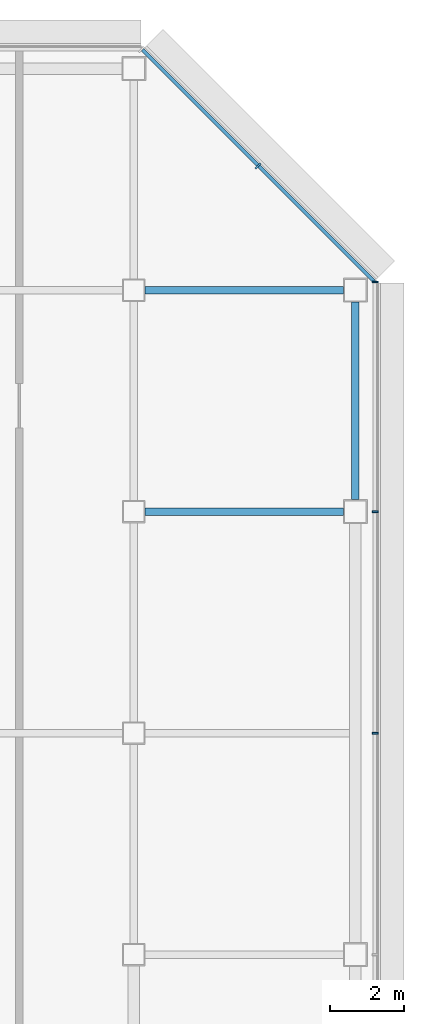
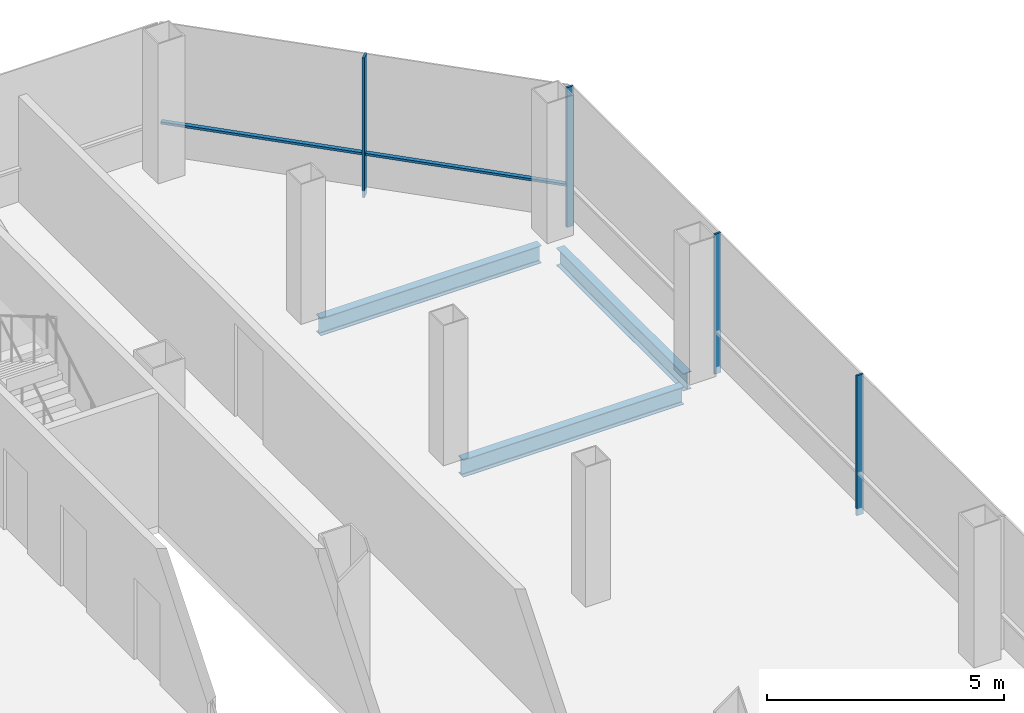
# One storey, part 18 of 26: 5 members, 3 beams, 2 elements without a shape of their own.
"""IFC4 building model written with IfcOpenShell, lengths in metres."""

from ifc_helpers import new_model, si_unit, direction, frame, origin, origin_2d, place, context, subcontext, project, spatial, rectangle, i_section, extrude, material, material_profile, profile_set, type_object, element, aggregate, save


model = new_model("IFC4")

# Units and contexts
model_context = context("Model", 3, precision=1e-05, world=origin(), true_north=direction((0.0, 1.0)))
body_context = subcontext(model_context, "Body", "Model", "MODEL_VIEW")
ifc_project = project(units=[si_unit("LENGTHUNIT", "METRE"), si_unit("AREAUNIT", "SQUARE_METRE"), si_unit("VOLUMEUNIT", "CUBIC_METRE"), si_unit("PLANEANGLEUNIT", "RADIAN"), si_unit("MASSUNIT", "GRAM", prefix="KILO")], contexts=[model_context])

# Site, building, storey
site_placement = place(None, origin())
site = spatial("IfcSite", under=ifc_project, at=site_placement, CompositionType="ELEMENT")
building_placement = place(site_placement, origin())
building = spatial("IfcBuilding", under=site, at=building_placement, Name="Sorahane Residences", CompositionType="ELEMENT")
storey_placement = place(building_placement, frame((0.0, 0.0, 243.199951171875)))
storey = spatial("IfcBuildingStorey", under=building, at=storey_placement, Name="L57", CompositionType="ELEMENT", Elevation=243.199951171875)

# Curtain wall, members
ifc_material_1 = material(Name="Dark low-e glass and black anodised aluminium", Category="aluminium")
curtain_wall_type_1 = type_object("IfcCurtainWallType", Name="Curtain wall CW-1 Typical unitised wall", PredefinedType="NOTDEFINED", material=ifc_material_1)
curtain_wall_1_placement = place(storey_placement, origin())
curtain_wall_1 = element("IfcCurtainWall", 1, at=curtain_wall_1_placement, inside=storey, type_object=curtain_wall_type_1, Name="CW-1 curtain wall L57 E1", PredefinedType="NOTDEFINED")
ifc_material_2 = material(Name="Black anodised aluminium", Category="aluminium")
ifc_material_profile_1 = material_profile(ifc_material_2, rectangle(XDim=0.159912109375, YDim=0.050048828125, at=origin_2d()), Name="Curtain wall mullion CW-1 black anodised aluminium 50x160")
ifc_profile_set_1 = profile_set([ifc_material_profile_1], Name="Black anodised aluminium")
member_type_1 = type_object("IfcMemberType", Name="Curtain wall mullion CW-1 black anodised aluminium 50x160", PredefinedType="MULLION", material=ifc_profile_set_1)
member_1_placement = place(storey_placement, frame((54.5400390625, 30.0, -0.179931640625), z_axis=(0.0, 0.0, 1.0), x_axis=(1.0, 0.0, 0.0)))
member_1 = element("IfcMember", 2, at=member_1_placement, type_object=member_type_1, Name="CW-1 mullion L57 E1.5", PredefinedType="MULLION", context=body_context, shape_type="SweptSolid", body=[
    extrude(rectangle(XDim=0.159912109375, YDim=0.050048828125, at=origin_2d()), origin(), (0.0, 0.0, 1.0), 3.60009765625),
])
member_2_placement = place(storey_placement, frame((54.5400390625, 36.0, -0.179931640625), z_axis=(0.0, 0.0, 1.0), x_axis=(1.0, 0.0, 0.0)))
member_2 = element("IfcMember", 3, at=member_2_placement, type_object=member_type_1, Name="CW-1 mullion L57 E1.6", PredefinedType="MULLION", context=body_context, shape_type="SweptSolid", body=[
    extrude(rectangle(XDim=0.159912109375, YDim=0.050048828125, at=origin_2d()), origin(), (0.0, 0.0, 1.0), 3.60009765625),
])
member_3_placement = place(storey_placement, frame((54.5400390625, 42.2236328125, -0.179931640625), z_axis=(0.0, 0.0, 1.0), x_axis=(1.0, 0.0, 0.0)))
member_3 = element("IfcMember", 4, at=member_3_placement, type_object=member_type_1, Name="CW-1 mullion L57 E1.7", PredefinedType="MULLION", context=body_context, shape_type="SweptSolid", body=[
    extrude(rectangle(XDim=0.159912109375, YDim=0.050048828125, at=origin_2d()), origin(), (0.0, 0.0, 1.0), 3.60009765625),
])
aggregate(curtain_wall_1, [member_1, member_2, member_3])

ifc_material_3 = material(Name="Dark low-e glass and black anodised aluminium", Category="aluminium")
curtain_wall_type_2 = type_object("IfcCurtainWallType", Name="Curtain wall CW-2 Chamfer unitised wall", PredefinedType="NOTDEFINED", material=ifc_material_3)
curtain_wall_2_placement = place(storey_placement, origin())
curtain_wall_2 = element("IfcCurtainWall", 5, at=curtain_wall_2_placement, inside=storey, type_object=curtain_wall_type_2, Name="CW-2 curtain wall L57 NE1", PredefinedType="NOTDEFINED")
ifc_material_4 = material(Name="Black anodised aluminium", Category="aluminium")
ifc_material_profile_2 = material_profile(ifc_material_4, rectangle(XDim=0.199951171875, YDim=0.050048828125, at=origin_2d()), Name="Curtain wall mullion CW-2 black anodised aluminium 50x200")
ifc_profile_set_2 = profile_set([ifc_material_profile_2], Name="Black anodised aluminium")
member_type_2 = type_object("IfcMemberType", Name="Curtain wall mullion CW-2 black anodised aluminium 50x200", PredefinedType="MULLION", material=ifc_profile_set_2)
member_4_placement = place(storey_placement, frame((51.36767578125, 45.36767578125, -0.179931640625), z_axis=(0.0, 0.0, 1.0), x_axis=(0.707106781187, 0.707106781187, 0.0)))
member_4 = element("IfcMember", 6, at=member_4_placement, type_object=member_type_2, Name="CW-2 mullion L57 NE1.2", PredefinedType="MULLION", context=body_context, shape_type="SweptSolid", body=[
    extrude(rectangle(XDim=0.199951171875, YDim=0.050048828125, at=origin_2d()), origin(), (0.0, 0.0, 1.0), 3.60009765625),
])
ifc_material_5 = material(Name="Black anodised aluminium", Category="aluminium")
ifc_material_profile_3 = material_profile(ifc_material_5, rectangle(XDim=0.10009765625, YDim=0.06005859375, at=origin_2d()), Name="Curtain wall transom CW-2 black anodised aluminium 60x100")
ifc_profile_set_3 = profile_set([ifc_material_profile_3], Name="Black anodised aluminium")
member_type_3 = type_object("IfcMemberType", Name="Curtain wall transom CW-2 black anodised aluminium 60x100", PredefinedType="USERDEFINED", material=ifc_profile_set_3)
member_5_placement = place(storey_placement, frame((54.51513671875, 42.234375, 0.900146484375), z_axis=(-0.707106781187, 0.707106781187, 0.0), x_axis=(-0.707106781187, -0.707106781187, 0.0)))
member_5 = element("IfcMember", 7, at=member_5_placement, type_object=member_type_3, Name="CW-2 transom L57 NE1", ObjectType="TRANSOM", PredefinedType="USERDEFINED", context=body_context, shape_type="SweptSolid", body=[
    extrude(rectangle(XDim=0.10009765625, YDim=0.06005859375, at=origin_2d()), origin(), (0.0, 0.0, 1.0), 8.88232421875),
])
aggregate(curtain_wall_2, [member_4, member_5])

# Beams
ifc_material_6 = material(Name="Steel Q355B", Category="steel")
ifc_material_profile_4 = material_profile(ifc_material_6, i_section(OverallWidth=0.199951171875, OverallDepth=0.449951171875, WebThickness=0.009033203125, FlangeThickness=0.013916015625, FilletRadius=0.02001953125, at=origin_2d()), Name="HN 450x200x9x14")
ifc_profile_set_4 = profile_set([ifc_material_profile_4], Name="Steel Q355B")
beam_type = type_object("IfcBeamType", Name="Steel floor beam HN 450x200x9x14 Q355B", PredefinedType="BEAM", material=ifc_profile_set_4)
beam_1_placement = place(storey_placement, frame((48.300048828125, 36.0, -0.405029296875), z_axis=(1.0, 0.0, 0.0), x_axis=(0.0, 1.0, 0.0)))
element("IfcBeam", 8, at=beam_1_placement, inside=storey, type_object=beam_type, Name="Beam L57 014", PredefinedType="BEAM", context=body_context, shape_type="SweptSolid", body=[
    extrude(i_section(OverallWidth=0.199951171875, OverallDepth=0.449951171875, WebThickness=0.009033203125, FlangeThickness=0.013916015625, FilletRadius=0.02001953125, at=origin_2d()), origin(), (0.0, 0.0, 1.0), 5.375),
])
beam_2_placement = place(storey_placement, frame((54.0, 36.324951171875, -0.405029296875), z_axis=(0.0, 1.0, 0.0), x_axis=(-1.0, 0.0, 0.0)))
element("IfcBeam", 9, at=beam_2_placement, inside=storey, type_object=beam_type, Name="Beam L57 067", PredefinedType="BEAM", context=body_context, shape_type="SweptSolid", body=[
    extrude(i_section(OverallWidth=0.199951171875, OverallDepth=0.449951171875, WebThickness=0.009033203125, FlangeThickness=0.013916015625, FilletRadius=0.02001953125, at=origin_2d()), origin(), (0.0, 0.0, 1.0), 5.35009765625),
])
beam_3_placement = place(storey_placement, frame((48.300048828125, 42.0, -0.405029296875), z_axis=(1.0, 0.0, 0.0), x_axis=(0.0, 1.0, 0.0)))
element("IfcBeam", 10, at=beam_3_placement, inside=storey, type_object=beam_type, Name="Beam L57 092", PredefinedType="BEAM", context=body_context, shape_type="SweptSolid", body=[
    extrude(i_section(OverallWidth=0.199951171875, OverallDepth=0.449951171875, WebThickness=0.009033203125, FlangeThickness=0.013916015625, FilletRadius=0.02001953125, at=origin_2d()), origin(), (0.0, 0.0, 1.0), 5.375),
])

save(model, "model.ifc")
